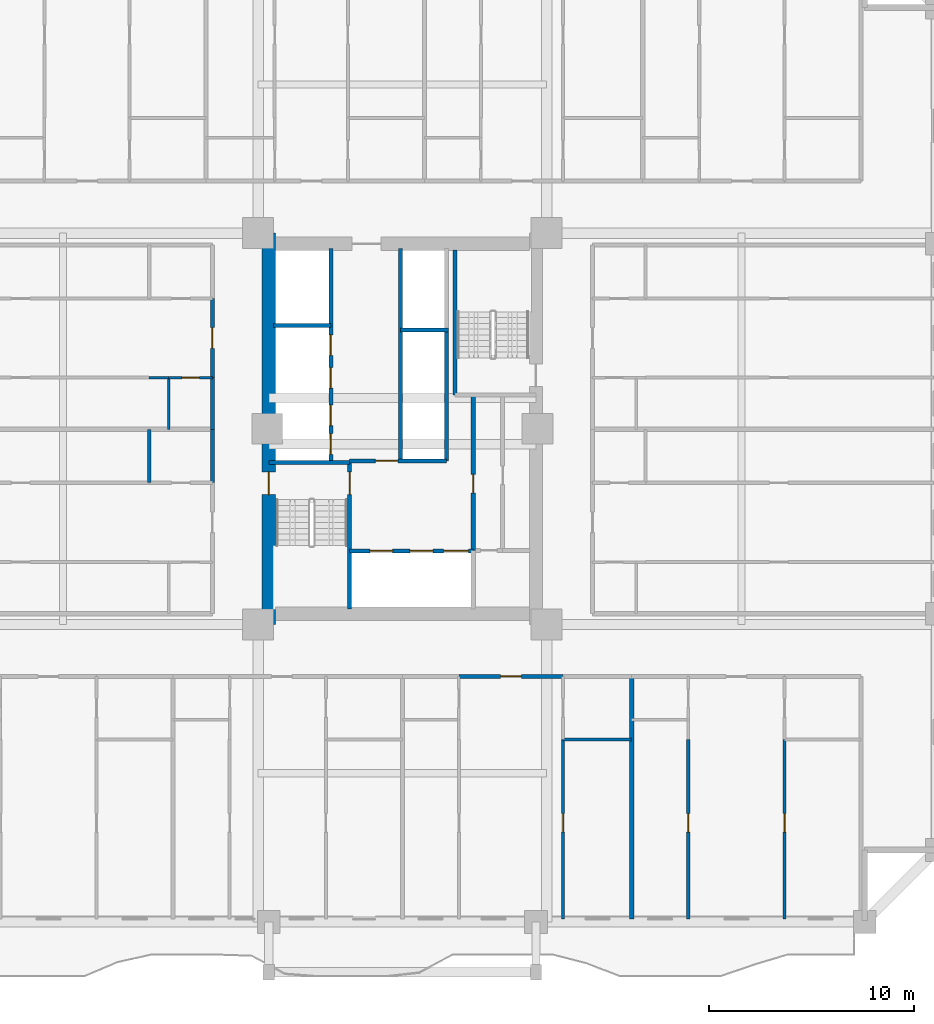
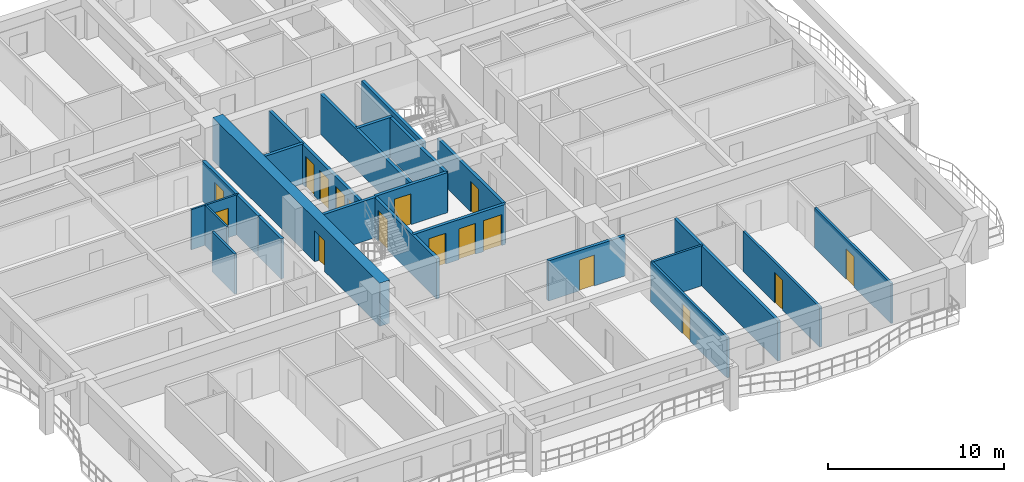
# One storey, part 4 of 16: 25 walls, 17 doors, 17 openings.
"""IFC4 building model written with IfcOpenShell, lengths in metres."""

from ifc_helpers import new_model, si_unit, direction, frame, frame_2d, origin, place, context, subcontext, project, spatial, rectangle, extrude, source, transform, mapped, material, layer, layer_set, type_object, element, fill, save


model = new_model("IFC4")

# Units and contexts
model_context = context("Model", 3, precision=1e-05, world=origin(), true_north=direction((0.0, 1.0)))
body_context = subcontext(model_context, "Body", "Model", "MODEL_VIEW")
ifc_project = project(units=[si_unit("LENGTHUNIT", "METRE"), si_unit("AREAUNIT", "SQUARE_METRE"), si_unit("VOLUMEUNIT", "CUBIC_METRE"), si_unit("PLANEANGLEUNIT", "RADIAN"), si_unit("MASSUNIT", "GRAM", prefix="KILO")], contexts=[model_context])

# Site, building, storey
site_placement = place(None, origin())
site = spatial("IfcSite", under=ifc_project, at=site_placement, CompositionType="ELEMENT")
building_placement = place(site_placement, origin())
building = spatial("IfcBuilding", under=site, at=building_placement, Name="Saelheon Loggia Tower", CompositionType="ELEMENT")
storey_placement = place(building_placement, frame((0.0, 0.0, 64.39990234375)))
storey = spatial("IfcBuildingStorey", under=building, at=storey_placement, Name="L20", CompositionType="ELEMENT", Elevation=64.39990234375)

# Wall, opening, door
ifc_material_1 = material(Name="Concrete C60/75", Category="concrete")
ifc_layer_1 = layer(ifc_material_1, 0.64990234375)
ifc_layer_set_1 = layer_set([ifc_layer_1], Name="Concrete C60/75")
wall_type_1 = type_object("IfcWallType", Name="Wall_CoreShear_650", PredefinedType="SHEAR", material=ifc_layer_set_1)
wall_1_placement = place(storey_placement, frame((31.5, 17.47998046875, 0.0), z_axis=(0.0, 0.0, 1.0), x_axis=(0.0, 1.0, 0.0)))
wall_1 = element("IfcWall", 1, at=wall_1_placement, inside=storey, type_object=wall_type_1, Name="L20 Core Shear Wall West", PredefinedType="SHEAR", context=body_context, shape_type="SweptSolid", body=[
    extrude(rectangle(XDim=19.0400390625, YDim=0.64990234375, at=frame_2d((9.52001953125, 0.0))), origin(), (0.0, 0.0, 1.0), 3.0),
])
opening_1_placement = place(wall_1_placement, frame((6.320068359375, 0.0, 0.0)))
opening_1 = element("IfcOpeningElement", 2, at=opening_1_placement, cuts=wall_1, Name="Opening D-FD2", PredefinedType="OPENING", context=body_context, shape_type="SweptSolid", body=[
    extrude(rectangle(XDim=1.10009765625, YDim=2.14990234375, at=frame_2d((0.550048828125, 1.074951171875))), frame((0.0, 0.3369140625, 0.0), z_axis=(0.0, -1.0, 0.0), x_axis=(1.0, 0.0, 0.0)), (0.0, 0.0, 1.0), 0.673828125),
])
ifc_material_2 = material(Name="Galvanised Steel Fire Door", Category="steel")
door_type_1 = type_object("IfcDoorType", Name="Door_Fire_FD60_1100", OperationType="NOTDEFINED", PredefinedType="DOOR", material=ifc_material_2)
shared_shape_1 = source(origin(), body_context, "Body", "SweptSolid", [
    extrude(rectangle(XDim=1.10009765625, YDim=2.14990234375, at=frame_2d((0.550048828125, 1.074951171875))), frame((0.0, 0.02490234375, 0.0), z_axis=(0.0, -1.0, 0.0), x_axis=(1.0, 0.0, 0.0)), (0.0, 0.0, 1.0), 0.050048828125),
])
door_1_placement = place(opening_1_placement, origin())
door_1 = element("IfcDoor", 3, at=door_1_placement, inside=storey, type_object=door_type_1, Name="L20 Stair ST1 Corridor Door", OperationType="SINGLE_SWING_LEFT", OverallHeight=2.14990234375, OverallWidth=1.10009765625, PredefinedType="DOOR", context=body_context, shape_type="MappedRepresentation", body=[
    mapped(shared_shape_1, transform((0.0, 0.0, 0.0), scale=1.0)),
])
fill(opening_1, door_1)

# Wall
ifc_material_3 = material(Name="Lightweight Autoclaved Aerated Concrete Block and Acoustic Gypsum", Category="concrete")
ifc_layer_2 = layer(ifc_material_3, 0.14990234375)
ifc_layer_set_2 = layer_set([ifc_layer_2], Name="Lightweight Autoclaved Aerated Concrete Block and Acoustic Gypsum")
wall_type_2 = type_object("IfcWallType", Name="Wall_Part_150", PredefinedType="PARTITIONING", material=ifc_layer_set_2)
wall_2_placement = place(storey_placement, frame((45.820068359375, 11.8798828125, 0.0), z_axis=(0.0, 0.0, 1.0), x_axis=(1.0, 0.0, 0.0)))
element("IfcWall", 4, at=wall_2_placement, inside=storey, type_object=wall_type_2, Name="L20 S Partition V29", PredefinedType="PARTITIONING", context=body_context, shape_type="SweptSolid", body=[
    extrude(rectangle(XDim=3.33984375, YDim=0.14990234375, at=frame_2d((1.669921875, 0.0))), origin(), (0.0, 0.0, 1.0), 2.7900390625),
])

# Wall, opening, door
wall_3_placement = place(storey_placement, frame((45.820068359375, 11.8798828125, 0.0), z_axis=(0.0, 0.0, 1.0), x_axis=(0.0, -1.0, 0.0)))
wall_3 = element("IfcWall", 5, at=wall_3_placement, inside=storey, type_object=wall_type_2, Name="L20 S Partition U34", PredefinedType="PARTITIONING", context=body_context, shape_type="SweptSolid", body=[
    extrude(rectangle(XDim=8.72998046875, YDim=0.14990234375, at=frame_2d((4.364990234375, 0.0))), origin(), (0.0, 0.0, 1.0), 2.7900390625),
])
opening_2_placement = place(wall_3_placement, frame((3.608642578125, 0.0, 0.0)))
opening_2 = element("IfcOpeningElement", 6, at=opening_2_placement, cuts=wall_3, Name="Opening D-IN2", PredefinedType="OPENING", context=body_context, shape_type="SweptSolid", body=[
    extrude(rectangle(XDim=0.89990234375, YDim=2.10009765625, at=frame_2d((0.449951171875, 1.050048828125))), frame((0.0, 0.0869140625, 0.0), z_axis=(0.0, -1.0, 0.0), x_axis=(1.0, 0.0, 0.0)), (0.0, 0.0, 1.0), 0.173828125),
])
ifc_material_4 = material(Name="Engineered Oak Flush Door", Category="timber")
door_type_2 = type_object("IfcDoorType", Name="Door_Int_900", OperationType="NOTDEFINED", PredefinedType="DOOR", material=ifc_material_4)
shared_shape_2 = source(origin(), body_context, "Body", "SweptSolid", [
    extrude(rectangle(XDim=0.89990234375, YDim=2.10009765625, at=frame_2d((0.449951171875, 1.050048828125))), frame((0.0, 0.02490234375, 0.0), z_axis=(0.0, -1.0, 0.0), x_axis=(1.0, 0.0, 0.0)), (0.0, 0.0, 1.0), 0.050048828125),
])
door_2_placement = place(opening_2_placement, origin())
door_2 = element("IfcDoor", 7, at=door_2_placement, inside=storey, type_object=door_type_2, Name="Unit U03 Bedroom 1 Door", OperationType="SINGLE_SWING_RIGHT", OverallHeight=2.10009765625, OverallWidth=0.89990234375, PredefinedType="DOOR", context=body_context, shape_type="MappedRepresentation", body=[
    mapped(shared_shape_2, transform((0.0, 0.0, 0.0), scale=1.0)),
])
fill(opening_2, door_2)

wall_4_placement = place(storey_placement, frame((51.909912109375, 11.8798828125, 0.0), z_axis=(0.0, 0.0, 1.0), x_axis=(0.0, -1.0, 0.0)))
wall_4 = element("IfcWall", 8, at=wall_4_placement, inside=storey, type_object=wall_type_2, Name="L20 S Partition U43", PredefinedType="PARTITIONING", context=body_context, shape_type="SweptSolid", body=[
    extrude(rectangle(XDim=8.72998046875, YDim=0.14990234375, at=frame_2d((4.364990234375, 0.0))), origin(), (0.0, 0.0, 1.0), 2.7900390625),
])
opening_3_placement = place(wall_4_placement, frame((3.608642578125, 0.0, 0.0)))
opening_3 = element("IfcOpeningElement", 9, at=opening_3_placement, cuts=wall_4, Name="Opening D-IN2", PredefinedType="OPENING", context=body_context, shape_type="SweptSolid", body=[
    extrude(rectangle(XDim=0.89990234375, YDim=2.10009765625, at=frame_2d((0.449951171875, 1.050048828125))), frame((0.0, 0.0869140625, 0.0), z_axis=(0.0, -1.0, 0.0), x_axis=(1.0, 0.0, 0.0)), (0.0, 0.0, 1.0), 0.173828125),
])
door_3_placement = place(opening_3_placement, origin())
door_3 = element("IfcDoor", 10, at=door_3_placement, inside=storey, type_object=door_type_2, Name="Unit U04 Kitchen Door", OperationType="SINGLE_SWING_LEFT", OverallHeight=2.10009765625, OverallWidth=0.89990234375, PredefinedType="DOOR", context=body_context, shape_type="MappedRepresentation", body=[
    mapped(shared_shape_2, transform((0.0, 0.0, 0.0), scale=1.0)),
])
fill(opening_3, door_3)

wall_5_placement = place(storey_placement, frame((56.59716796875, 11.8798828125, 0.0), z_axis=(0.0, 0.0, 1.0), x_axis=(0.0, -1.0, 0.0)))
wall_5 = element("IfcWall", 11, at=wall_5_placement, inside=storey, type_object=wall_type_2, Name="L20 S Partition U45", PredefinedType="PARTITIONING", context=body_context, shape_type="SweptSolid", body=[
    extrude(rectangle(XDim=8.72998046875, YDim=0.14990234375, at=frame_2d((4.364990234375, 0.0))), origin(), (0.0, 0.0, 1.0), 2.7900390625),
])
opening_4_placement = place(wall_5_placement, frame((3.608642578125, 0.0, 0.0)))
opening_4 = element("IfcOpeningElement", 12, at=opening_4_placement, cuts=wall_5, Name="Opening D-IN2", PredefinedType="OPENING", context=body_context, shape_type="SweptSolid", body=[
    extrude(rectangle(XDim=0.89990234375, YDim=2.10009765625, at=frame_2d((0.449951171875, 1.050048828125))), frame((0.0, 0.0869140625, 0.0), z_axis=(0.0, -1.0, 0.0), x_axis=(1.0, 0.0, 0.0)), (0.0, 0.0, 1.0), 0.173828125),
])
door_4_placement = place(opening_4_placement, origin())
door_4 = element("IfcDoor", 13, at=door_4_placement, inside=storey, type_object=door_type_2, Name="Unit U04 Bedroom 1 Door", OperationType="SINGLE_SWING_LEFT", OverallHeight=2.10009765625, OverallWidth=0.89990234375, PredefinedType="DOOR", context=body_context, shape_type="MappedRepresentation", body=[
    mapped(shared_shape_2, transform((0.0, 0.0, 0.0), scale=1.0)),
])
fill(opening_4, door_4)

# Wall
wall_6_placement = place(storey_placement, frame((25.679931640625, 24.375, 0.0), z_axis=(0.0, 0.0, 1.0), x_axis=(0.0, 1.0, 0.0)))
element("IfcWall", 14, at=wall_6_placement, inside=storey, type_object=wall_type_2, Name="L20 W Partition V07", PredefinedType="PARTITIONING", context=body_context, shape_type="SweptSolid", body=[
    extrude(rectangle(XDim=2.60009765625, YDim=0.14990234375, at=frame_2d((1.300048828125, 0.0))), origin(), (0.0, 0.0, 1.0), 2.7900390625),
])

# Wall, opening, door
ifc_material_5 = material(Name="Double Acoustic Stud and Fireboard Partition", Category="gypsum")
ifc_layer_3 = layer(ifc_material_5, 0.199951171875)
ifc_layer_set_3 = layer_set([ifc_layer_3], Name="Double Acoustic Stud and Fireboard Partition")
wall_type_3 = type_object("IfcWallType", Name="Wall_Party_200", PredefinedType="PARTITIONING", material=ifc_layer_set_3)
wall_7_placement = place(storey_placement, frame((40.75, 14.949951171875, 0.0), z_axis=(0.0, 0.0, 1.0), x_axis=(1.0, 0.0, 0.0)))
wall_7 = element("IfcWall", 15, at=wall_7_placement, inside=storey, type_object=wall_type_3, Name="L20 S Partition V26", PredefinedType="PARTITIONING", context=body_context, shape_type="SweptSolid", body=[
    extrude(rectangle(XDim=5.070068359375, YDim=0.199951171875, at=frame_2d((2.53515625, 0.0))), origin(), (0.0, 0.0, 1.0), 2.7900390625),
])
opening_5_placement = place(wall_7_placement, frame((2.034912109375, 0.0, 0.0)))
opening_5 = element("IfcOpeningElement", 16, at=opening_5_placement, cuts=wall_7, Name="Opening D-FD1", PredefinedType="OPENING", context=body_context, shape_type="SweptSolid", body=[
    extrude(rectangle(XDim=1.0, YDim=2.14990234375, at=frame_2d((0.5, 1.074951171875))), frame((0.0, 0.112060546875, 0.0), z_axis=(0.0, -1.0, 0.0), x_axis=(1.0, 0.0, 0.0)), (0.0, 0.0, 1.0), 0.223876953125),
])
ifc_material_6 = material(Name="Fire-Rated Engineered Timber Entrance Door", Category="wood")
door_type_3 = type_object("IfcDoorType", Name="Door_Flat_FD30S", OperationType="NOTDEFINED", PredefinedType="DOOR", material=ifc_material_6)
shared_shape_3 = source(origin(), body_context, "Body", "SweptSolid", [
    extrude(rectangle(XDim=1.0, YDim=2.14990234375, at=frame_2d((0.5, 1.074951171875))), frame((0.0, 0.02490234375, 0.0), z_axis=(0.0, -1.0, 0.0), x_axis=(1.0, 0.0, 0.0)), (0.0, 0.0, 1.0), 0.050048828125),
])
door_5_placement = place(opening_5_placement, origin())
door_5 = element("IfcDoor", 17, at=door_5_placement, inside=storey, type_object=door_type_3, Name="Unit U03 Entrance Door", OperationType="SINGLE_SWING_RIGHT", OverallHeight=2.14990234375, OverallWidth=1.0, PredefinedType="DOOR", context=body_context, shape_type="MappedRepresentation", body=[
    mapped(shared_shape_3, transform((0.0, 0.0, 0.0), scale=1.0)),
])
fill(opening_5, door_5)

# Walls
wall_8_placement = place(storey_placement, frame((49.159912109375, 14.949951171875, 0.0), z_axis=(0.0, 0.0, 1.0), x_axis=(0.0, -1.0, 0.0)))
element("IfcWall", 18, at=wall_8_placement, inside=storey, type_object=wall_type_3, Name="L20 S Partition U35", PredefinedType="PARTITIONING", context=body_context, shape_type="SweptSolid", body=[
    extrude(rectangle(XDim=11.800048828125, YDim=0.199951171875, at=frame_2d((5.89990234375, 0.0))), origin(), (0.0, 0.0, 1.0), 2.7900390625),
])
wall_9_placement = place(storey_placement, frame((28.75, 24.375, 0.0), z_axis=(0.0, 0.0, 1.0), x_axis=(0.0, 1.0, 0.0)))
element("IfcWall", 19, at=wall_9_placement, inside=storey, type_object=wall_type_3, Name="L20 W Partition V05", PredefinedType="PARTITIONING", context=body_context, shape_type="SweptSolid", body=[
    extrude(rectangle(XDim=2.60009765625, YDim=0.199951171875, at=frame_2d((1.300048828125, 0.0))), origin(), (0.0, 0.0, 1.0), 2.7900390625),
])
wall_10_placement = place(storey_placement, frame((28.75, 26.97509765625, 0.0), z_axis=(0.0, 0.0, 1.0), x_axis=(0.0, 1.0, 0.0)))
element("IfcWall", 20, at=wall_10_placement, inside=storey, type_object=wall_type_3, Name="L20 W Partition V14", PredefinedType="PARTITIONING", context=body_context, shape_type="SweptSolid", body=[
    extrude(rectangle(XDim=2.512939453125, YDim=0.199951171875, at=frame_2d((1.25634765625, 0.0))), origin(), (0.0, 0.0, 1.0), 2.7900390625),
])

# Wall, opening, door
wall_11_placement = place(storey_placement, frame((28.75, 29.488037109375, 0.0), z_axis=(0.0, 0.0, 1.0), x_axis=(0.0, 1.0, 0.0)))
wall_11 = element("IfcWall", 21, at=wall_11_placement, inside=storey, type_object=wall_type_3, Name="L20 W Partition V15", PredefinedType="PARTITIONING", context=body_context, shape_type="SweptSolid", body=[
    extrude(rectangle(XDim=3.862060546875, YDim=0.199951171875, at=frame_2d((1.93115234375, 0.0))), origin(), (0.0, 0.0, 1.0), 2.7900390625),
])
opening_6_placement = place(wall_11_placement, frame((1.430908203125, 0.0, 0.0)))
opening_6 = element("IfcOpeningElement", 22, at=opening_6_placement, cuts=wall_11, Name="Opening D-FD1", PredefinedType="OPENING", context=body_context, shape_type="SweptSolid", body=[
    extrude(rectangle(XDim=1.0, YDim=2.14990234375, at=frame_2d((0.5, 1.074951171875))), frame((0.0, 0.112060546875, 0.0), z_axis=(0.0, -1.0, 0.0), x_axis=(1.0, 0.0, 0.0)), (0.0, 0.0, 1.0), 0.223876953125),
])
door_6_placement = place(opening_6_placement, origin())
door_6 = element("IfcDoor", 23, at=door_6_placement, inside=storey, type_object=door_type_3, Name="Unit U10 Entrance Door", OperationType="SINGLE_SWING_RIGHT", OverallHeight=2.14990234375, OverallWidth=1.0, PredefinedType="DOOR", context=body_context, shape_type="MappedRepresentation", body=[
    mapped(shared_shape_3, transform((0.0, 0.0, 0.0), scale=1.0)),
])
fill(opening_6, door_6)

ifc_material_7 = material(Name="Concrete C40/50", Category="concrete")
ifc_layer_4 = layer(ifc_material_7, 0.199951171875)
ifc_layer_set_4 = layer_set([ifc_layer_4], Name="Concrete C40/50")
wall_type_4 = type_object("IfcWallType", Name="Wall_Shaft_200", PredefinedType="PARTITIONING", material=ifc_layer_set_4)
wall_12_placement = place(storey_placement, frame((41.449951171875, 21.080078125, 0.0), z_axis=(0.0, 0.0, 1.0), x_axis=(0.0, 1.0, 0.0)))
wall_12 = element("IfcWall", 24, at=wall_12_placement, inside=storey, type_object=wall_type_4, Name="CW-INT-L20-BOH-W1", PredefinedType="PARTITIONING", context=body_context, shape_type="SweptSolid", body=[
    extrude(rectangle(XDim=7.52001953125, YDim=0.199951171875, at=frame_2d((3.760009765625, 0.0))), origin(), (0.0, 0.0, 1.0), 2.7900390625),
])
opening_7_placement = place(wall_12_placement, frame((2.800048828125, 0.0, 0.0)))
opening_7 = element("IfcOpeningElement", 25, at=opening_7_placement, cuts=wall_12, Name="Opening D-RS1", PredefinedType="OPENING", context=body_context, shape_type="SweptSolid", body=[
    extrude(rectangle(XDim=0.89990234375, YDim=2.10009765625, at=frame_2d((0.449951171875, 1.050048828125))), frame((0.0, 0.112060546875, 0.0), z_axis=(0.0, -1.0, 0.0), x_axis=(1.0, 0.0, 0.0)), (0.0, 0.0, 1.0), 0.223876953125),
])
ifc_material_8 = material(Name="Galvanised Steel Riser Access Door", Category="steel")
door_type_4 = type_object("IfcDoorType", Name="Door_Riser_FD60", OperationType="NOTDEFINED", PredefinedType="DOOR", material=ifc_material_8)
door_7_placement = place(opening_7_placement, origin())
door_7 = element("IfcDoor", 26, at=door_7_placement, inside=storey, type_object=door_type_4, Name="L20 Service Store Door", OperationType="SINGLE_SWING_LEFT", OverallHeight=2.10009765625, OverallWidth=0.89990234375, PredefinedType="DOOR", context=body_context, shape_type="MappedRepresentation", body=[
    mapped(shared_shape_2, transform((0.0, 0.0, 0.0), scale=1.0)),
])
fill(opening_7, door_7)

# Wall
wall_13_placement = place(storey_placement, frame((40.14990234375, 25.43994140625, 0.0), z_axis=(0.0, 0.0, 1.0), x_axis=(0.0, 1.0, 0.0)))
element("IfcWall", 27, at=wall_13_placement, inside=storey, type_object=wall_type_4, Name="L20 Core Service Passage West Wall", PredefinedType="PARTITIONING", context=body_context, shape_type="SweptSolid", body=[
    extrude(rectangle(XDim=6.360107421875, YDim=0.199951171875, at=frame_2d((3.18017578125, 0.0))), origin(), (0.0, 0.0, 1.0), 2.7900390625),
])

# Wall, openings, doors
wall_14_placement = place(storey_placement, frame((35.429931640625, 21.06005859375, 0.0), z_axis=(0.0, 0.0, 1.0), x_axis=(1.0, 0.0, 0.0)))
wall_14 = element("IfcWall", 28, at=wall_14_placement, inside=storey, type_object=wall_type_4, Name="L20 Firefighting Lift Shaft Front Wall", PredefinedType="PARTITIONING", context=body_context, shape_type="SweptSolid", body=[
    extrude(rectangle(XDim=6.02001953125, YDim=0.199951171875, at=frame_2d((3.010009765625, 0.0))), origin(), (0.0, 0.0, 1.0), 2.7900390625),
])
opening_8_placement = place(wall_14_placement, frame((1.0, 0.0, 0.0)))
opening_8 = element("IfcOpeningElement", 29, at=opening_8_placement, cuts=wall_14, Name="Opening LD2", PredefinedType="OPENING", context=body_context, shape_type="SweptSolid", body=[
    extrude(rectangle(XDim=1.10009765625, YDim=2.14990234375, at=frame_2d((0.550048828125, 1.074951171875))), frame((0.0, 0.112060546875, 0.0), z_axis=(0.0, -1.0, 0.0), x_axis=(1.0, 0.0, 0.0)), (0.0, 0.0, 1.0), 0.223876953125),
])
opening_9_placement = place(wall_14_placement, frame((2.949951171875, 0.0, 0.0)))
opening_9 = element("IfcOpeningElement", 30, at=opening_9_placement, cuts=wall_14, Name="Opening LD2", PredefinedType="OPENING", context=body_context, shape_type="SweptSolid", body=[
    extrude(rectangle(XDim=1.10009765625, YDim=2.14990234375, at=frame_2d((0.550048828125, 1.074951171875))), frame((0.0, 0.112060546875, 0.0), z_axis=(0.0, -1.0, 0.0), x_axis=(1.0, 0.0, 0.0)), (0.0, 0.0, 1.0), 0.223876953125),
])
opening_10_placement = place(wall_14_placement, frame((4.580078125, 0.0, 0.0)))
opening_10 = element("IfcOpeningElement", 31, at=opening_10_placement, cuts=wall_14, Name="Opening LD3", PredefinedType="OPENING", context=body_context, shape_type="SweptSolid", body=[
    extrude(rectangle(XDim=1.199951171875, YDim=2.14990234375, at=frame_2d((0.60009765625, 1.074951171875))), frame((0.0, 0.112060546875, 0.0), z_axis=(0.0, -1.0, 0.0), x_axis=(1.0, 0.0, 0.0)), (0.0, 0.0, 1.0), 0.223876953125),
])
ifc_material_9 = material(Name="Firefighting Stainless Steel 316 Landing Door", Category="steel")
door_type_5 = type_object("IfcDoorType", Name="Door_Lift_LD2", OperationType="DOUBLE_DOOR_SLIDING", PredefinedType="DOOR", material=ifc_material_9)
door_8_placement = place(opening_8_placement, origin())
door_8 = element("IfcDoor", 32, at=door_8_placement, inside=storey, type_object=door_type_5, Name="L20 FF1 Landing Door", OperationType="DOUBLE_DOOR_SLIDING", OverallHeight=2.14990234375, OverallWidth=1.10009765625, PredefinedType="DOOR", context=body_context, shape_type="MappedRepresentation", body=[
    mapped(shared_shape_1, transform((0.0, 0.0, 0.0), scale=1.0)),
])
fill(opening_8, door_8)
door_9_placement = place(opening_9_placement, origin())
door_9 = element("IfcDoor", 33, at=door_9_placement, inside=storey, type_object=door_type_5, Name="L20 FF2 Landing Door", OperationType="DOUBLE_DOOR_SLIDING", OverallHeight=2.14990234375, OverallWidth=1.10009765625, PredefinedType="DOOR", context=body_context, shape_type="MappedRepresentation", body=[
    mapped(shared_shape_1, transform((0.0, 0.0, 0.0), scale=1.0)),
])
fill(opening_9, door_9)
ifc_material_10 = material(Name="Stretcher Lift Stainless Steel 304 Landing Door", Category="steel")
door_type_6 = type_object("IfcDoorType", Name="Door_Lift_LD3", OperationType="DOUBLE_DOOR_SLIDING", PredefinedType="DOOR", material=ifc_material_10)
shared_shape_4 = source(origin(), body_context, "Body", "SweptSolid", [
    extrude(rectangle(XDim=1.199951171875, YDim=2.14990234375, at=frame_2d((0.60009765625, 1.074951171875))), frame((0.0, 0.02490234375, 0.0), z_axis=(0.0, -1.0, 0.0), x_axis=(1.0, 0.0, 0.0)), (0.0, 0.0, 1.0), 0.050048828125),
])
door_10_placement = place(opening_10_placement, origin())
door_10 = element("IfcDoor", 34, at=door_10_placement, inside=storey, type_object=door_type_6, Name="L20 SV1 Landing Door", OperationType="DOUBLE_DOOR_SLIDING", OverallHeight=2.14990234375, OverallWidth=1.199951171875, PredefinedType="DOOR", context=body_context, shape_type="MappedRepresentation", body=[
    mapped(shared_shape_4, transform((0.0, 0.0, 0.0), scale=1.0)),
])
fill(opening_10, door_10)

# Wall, opening, door
wall_15_placement = place(storey_placement, frame((35.429931640625, 25.43994140625, 0.0), z_axis=(0.0, 0.0, 1.0), x_axis=(1.0, 0.0, 0.0)))
wall_15 = element("IfcWall", 35, at=wall_15_placement, inside=storey, type_object=wall_type_4, Name="L20 Firefighting Lobby Compartment Wall", PredefinedType="PARTITIONING", context=body_context, shape_type="SweptSolid", body=[
    extrude(rectangle(XDim=4.719970703125, YDim=0.199951171875, at=frame_2d((2.35986328125, 0.0))), origin(), (0.0, 0.0, 1.0), 2.7900390625),
])
opening_11_placement = place(wall_15_placement, frame((1.25, 0.0, 0.0)))
opening_11 = element("IfcOpeningElement", 36, at=opening_11_placement, cuts=wall_15, Name="Opening D-FD2", PredefinedType="OPENING", context=body_context, shape_type="SweptSolid", body=[
    extrude(rectangle(XDim=1.10009765625, YDim=2.14990234375, at=frame_2d((0.550048828125, 1.074951171875))), frame((0.0, 0.112060546875, 0.0), z_axis=(0.0, -1.0, 0.0), x_axis=(1.0, 0.0, 0.0)), (0.0, 0.0, 1.0), 0.223876953125),
])
door_11_placement = place(opening_11_placement, origin())
door_11 = element("IfcDoor", 37, at=door_11_placement, inside=storey, type_object=door_type_1, Name="L20 Firefighting Lobby Door", OperationType="SINGLE_SWING_RIGHT", OverallHeight=2.14990234375, OverallWidth=1.10009765625, PredefinedType="DOOR", context=body_context, shape_type="MappedRepresentation", body=[
    mapped(shared_shape_1, transform((0.0, 0.0, 0.0), scale=1.0)),
])
fill(opening_11, door_11)

# Wall, openings, doors
wall_16_placement = place(storey_placement, frame((34.52001953125, 25.43994140625, 0.0), z_axis=(0.0, 0.0, 1.0), x_axis=(0.0, 1.0, 0.0)))
wall_16 = element("IfcWall", 38, at=wall_16_placement, inside=storey, type_object=wall_type_4, Name="L20 West Passenger Lift Bank Wall", PredefinedType="PARTITIONING", context=body_context, shape_type="SweptSolid", body=[
    extrude(rectangle(XDim=10.340087890625, YDim=0.199951171875, at=frame_2d((5.169921875, 0.0))), origin(), (0.0, 0.0, 1.0), 2.7900390625),
])
opening_12_placement = place(wall_16_placement, frame((0.320068359375, 0.0, 0.0)))
opening_12 = element("IfcOpeningElement", 39, at=opening_12_placement, cuts=wall_16, Name="Opening LD1", PredefinedType="OPENING", context=body_context, shape_type="SweptSolid", body=[
    extrude(rectangle(XDim=1.0, YDim=2.14990234375, at=frame_2d((0.5, 1.074951171875))), frame((0.0, 0.112060546875, 0.0), z_axis=(0.0, -1.0, 0.0), x_axis=(1.0, 0.0, 0.0)), (0.0, 0.0, 1.0), 0.223876953125),
])
opening_13_placement = place(wall_16_placement, frame((1.7099609375, 0.0, 0.0)))
opening_13 = element("IfcOpeningElement", 40, at=opening_13_placement, cuts=wall_16, Name="Opening LD1", PredefinedType="OPENING", context=body_context, shape_type="SweptSolid", body=[
    extrude(rectangle(XDim=1.0, YDim=2.14990234375, at=frame_2d((0.5, 1.074951171875))), frame((0.0, 0.112060546875, 0.0), z_axis=(0.0, -1.0, 0.0), x_axis=(1.0, 0.0, 0.0)), (0.0, 0.0, 1.0), 0.223876953125),
])
opening_14_placement = place(wall_16_placement, frame((3.534912109375, 0.0, 0.0)))
opening_14 = element("IfcOpeningElement", 41, at=opening_14_placement, cuts=wall_16, Name="Opening LD1", PredefinedType="OPENING", context=body_context, shape_type="SweptSolid", body=[
    extrude(rectangle(XDim=1.0, YDim=2.14990234375, at=frame_2d((0.5, 1.074951171875))), frame((0.0, 0.112060546875, 0.0), z_axis=(0.0, -1.0, 0.0), x_axis=(1.0, 0.0, 0.0)), (0.0, 0.0, 1.0), 0.223876953125),
])
opening_15_placement = place(wall_16_placement, frame((5.135009765625, 0.0, 0.0)))
opening_15 = element("IfcOpeningElement", 42, at=opening_15_placement, cuts=wall_16, Name="Opening LD1", PredefinedType="OPENING", context=body_context, shape_type="SweptSolid", body=[
    extrude(rectangle(XDim=1.0, YDim=2.14990234375, at=frame_2d((0.5, 1.074951171875))), frame((0.0, 0.112060546875, 0.0), z_axis=(0.0, -1.0, 0.0), x_axis=(1.0, 0.0, 0.0)), (0.0, 0.0, 1.0), 0.223876953125),
])
ifc_material_11 = material(Name="Brushed Stainless Steel 304 Landing Door", Category="steel")
door_type_7 = type_object("IfcDoorType", Name="Door_Lift_LD1", OperationType="DOUBLE_DOOR_SLIDING", PredefinedType="DOOR", material=ifc_material_11)
door_12_placement = place(opening_12_placement, origin())
door_12 = element("IfcDoor", 43, at=door_12_placement, inside=storey, type_object=door_type_7, Name="L20 PL1 Landing Door", OperationType="DOUBLE_DOOR_SLIDING", OverallHeight=2.14990234375, OverallWidth=1.0, PredefinedType="DOOR", context=body_context, shape_type="MappedRepresentation", body=[
    mapped(shared_shape_3, transform((0.0, 0.0, 0.0), scale=1.0)),
])
fill(opening_12, door_12)
door_13_placement = place(opening_13_placement, origin())
door_13 = element("IfcDoor", 44, at=door_13_placement, inside=storey, type_object=door_type_7, Name="L20 PL2 Landing Door", OperationType="DOUBLE_DOOR_SLIDING", OverallHeight=2.14990234375, OverallWidth=1.0, PredefinedType="DOOR", context=body_context, shape_type="MappedRepresentation", body=[
    mapped(shared_shape_3, transform((0.0, 0.0, 0.0), scale=1.0)),
])
fill(opening_13, door_13)
door_14_placement = place(opening_14_placement, origin())
door_14 = element("IfcDoor", 45, at=door_14_placement, inside=storey, type_object=door_type_7, Name="L20 PL3 Landing Door", OperationType="DOUBLE_DOOR_SLIDING", OverallHeight=2.14990234375, OverallWidth=1.0, PredefinedType="DOOR", context=body_context, shape_type="MappedRepresentation", body=[
    mapped(shared_shape_3, transform((0.0, 0.0, 0.0), scale=1.0)),
])
fill(opening_14, door_14)
door_15_placement = place(opening_15_placement, origin())
door_15 = element("IfcDoor", 46, at=door_15_placement, inside=storey, type_object=door_type_7, Name="L20 PL4 Landing Door", OperationType="DOUBLE_DOOR_SLIDING", OverallHeight=2.14990234375, OverallWidth=1.0, PredefinedType="DOOR", context=body_context, shape_type="MappedRepresentation", body=[
    mapped(shared_shape_3, transform((0.0, 0.0, 0.0), scale=1.0)),
])
fill(opening_15, door_15)

# Walls
wall_17_placement = place(storey_placement, frame((31.719970703125, 32.02001953125, 0.0), z_axis=(0.0, 0.0, 1.0), x_axis=(1.0, 0.0, 0.0)))
element("IfcWall", 47, at=wall_17_placement, inside=storey, type_object=wall_type_4, Name="L20 West High-Rise Shaft Divider", PredefinedType="PARTITIONING", context=body_context, shape_type="SweptSolid", body=[
    extrude(rectangle(XDim=2.800048828125, YDim=0.199951171875, at=frame_2d((1.39990234375, 0.0))), origin(), (0.0, 0.0, 1.0), 2.7900390625),
])
wall_18_placement = place(storey_placement, frame((37.89990234375, 25.43994140625, 0.0), z_axis=(0.0, 0.0, 1.0), x_axis=(0.0, 1.0, 0.0)))
element("IfcWall", 48, at=wall_18_placement, inside=storey, type_object=wall_type_4, Name="L20 East Passenger Lift Bank Wall", PredefinedType="PARTITIONING", context=body_context, shape_type="SweptSolid", body=[
    extrude(rectangle(XDim=10.340087890625, YDim=0.199951171875, at=frame_2d((5.169921875, 0.0))), origin(), (0.0, 0.0, 1.0), 2.7900390625),
])
wall_19_placement = place(storey_placement, frame((37.89990234375, 31.800048828125, 0.0), z_axis=(0.0, 0.0, 1.0), x_axis=(1.0, 0.0, 0.0)))
element("IfcWall", 49, at=wall_19_placement, inside=storey, type_object=wall_type_4, Name="L20 East High-Rise Shaft Divider", PredefinedType="PARTITIONING", context=body_context, shape_type="SweptSolid", body=[
    extrude(rectangle(XDim=2.35009765625, YDim=0.199951171875, at=frame_2d((1.175048828125, 0.0))), origin(), (0.0, 0.0, 1.0), 2.7900390625),
])

# Wall, opening, door
ifc_material_12 = material(Name="Concrete C45/55", Category="concrete")
ifc_layer_5 = layer(ifc_material_12, 0.199951171875)
ifc_layer_set_5 = layer_set([ifc_layer_5], Name="Concrete C45/55")
wall_type_5 = type_object("IfcWallType", Name="Wall_StairShaft_RC200", PredefinedType="SOLIDWALL", material=ifc_layer_set_5)
wall_20_placement = place(storey_placement, frame((35.429931640625, 18.219970703125, 0.0), z_axis=(0.0, 0.0, 1.0), x_axis=(0.0, 1.0, 0.0)))
wall_20 = element("IfcWall", 50, at=wall_20_placement, inside=storey, type_object=wall_type_5, Name="L20 Stair ST1 Shaft Wall", PredefinedType="SOLIDWALL", context=body_context, shape_type="SweptSolid", body=[
    extrude(rectangle(XDim=7.219970703125, YDim=0.199951171875, at=frame_2d((3.60986328125, 0.0))), origin(), (0.0, 0.0, 1.0), 2.7900390625),
])
opening_16_placement = place(wall_20_placement, frame((6.68017578125, 0.0, 0.0), z_axis=(0.0, 0.0, 1.0), x_axis=(-1.0, 0.0, 0.0)))
opening_16 = element("IfcOpeningElement", 51, at=opening_16_placement, cuts=wall_20, Name="Opening D-FD2", PredefinedType="OPENING", context=body_context, shape_type="SweptSolid", body=[
    extrude(rectangle(XDim=1.10009765625, YDim=2.14990234375, at=frame_2d((0.550048828125, 1.074951171875))), frame((0.0, 0.112060546875, 0.0), z_axis=(0.0, -1.0, 0.0), x_axis=(1.0, 0.0, 0.0)), (0.0, 0.0, 1.0), 0.223876953125),
])
door_16_placement = place(opening_16_placement, origin())
door_16 = element("IfcDoor", 52, at=door_16_placement, inside=storey, type_object=door_type_1, Name="L20 Stair ST1 Lobby Door", OperationType="SINGLE_SWING_LEFT", OverallHeight=2.14990234375, OverallWidth=1.10009765625, PredefinedType="DOOR", context=body_context, shape_type="MappedRepresentation", body=[
    mapped(shared_shape_1, transform((0.0, 0.0, 0.0), scale=1.0)),
])
fill(opening_16, door_16)

# Walls
wall_21_placement = place(storey_placement, frame((31.5, 25.35009765625, 0.0), z_axis=(0.0, 0.0, 1.0), x_axis=(1.0, 0.0, 0.0)))
element("IfcWall", 53, at=wall_21_placement, inside=storey, type_object=wall_type_5, Name="L20 Stair ST1 North Wall", PredefinedType="SOLIDWALL", context=body_context, shape_type="SweptSolid", body=[
    extrude(rectangle(XDim=3.929931640625, YDim=0.199951171875, at=frame_2d((1.96484375, 0.0))), origin(), (0.0, 0.0, 1.0), 2.7900390625),
])
wall_22_placement = place(storey_placement, frame((40.570068359375, 28.64990234375, 0.0), z_axis=(0.0, 0.0, 1.0), x_axis=(0.0, 1.0, 0.0)))
element("IfcWall", 54, at=wall_22_placement, inside=storey, type_object=wall_type_5, Name="L20 Stair ST2 Shaft Wall", PredefinedType="SOLIDWALL", context=body_context, shape_type="SweptSolid", body=[
    extrude(rectangle(XDim=7.050048828125, YDim=0.199951171875, at=frame_2d((3.52490234375, 0.0))), origin(), (0.0, 0.0, 1.0), 2.7900390625),
])
ifc_material_13 = material(Name="Moisture-Resistant Cement Board Partition", Category="gypsum")
ifc_layer_6 = layer(ifc_material_13, 0.1201171875)
ifc_layer_set_6 = layer_set([ifc_layer_6], Name="Moisture-Resistant Cement Board Partition")
wall_type_6 = type_object("IfcWallType", Name="Wall_WetPart_120", PredefinedType="PARTITIONING", material=ifc_layer_set_6)
wall_23_placement = place(storey_placement, frame((26.6298828125, 26.97509765625, 0.0), z_axis=(0.0, 0.0, 1.0), x_axis=(0.0, 1.0, 0.0)))
element("IfcWall", 55, at=wall_23_placement, inside=storey, type_object=wall_type_6, Name="L20 W Partition V17", PredefinedType="PARTITIONING", context=body_context, shape_type="SweptSolid", body=[
    extrude(rectangle(XDim=2.512939453125, YDim=0.1201171875, at=frame_2d((1.25634765625, 0.0))), origin(), (0.0, 0.0, 1.0), 2.7900390625),
])

# Wall, opening, door
wall_24_placement = place(storey_placement, frame((28.75, 29.488037109375, 0.0), z_axis=(0.0, 0.0, 1.0), x_axis=(-1.0, 0.0, 0.0)))
wall_24 = element("IfcWall", 56, at=wall_24_placement, inside=storey, type_object=wall_type_6, Name="L20 W Partition U19", PredefinedType="PARTITIONING", context=body_context, shape_type="SweptSolid", body=[
    extrude(rectangle(XDim=2.1201171875, YDim=0.1201171875, at=frame_2d((1.06005859375, 0.0))), origin(), (0.0, 0.0, 1.0), 2.7900390625),
])
opening_17_placement = place(wall_24_placement, frame((0.635009765625, 0.0, 0.0)))
opening_17 = element("IfcOpeningElement", 57, at=opening_17_placement, cuts=wall_24, Name="Opening D-BT1", PredefinedType="OPENING", context=body_context, shape_type="SweptSolid", body=[
    extrude(rectangle(XDim=0.85009765625, YDim=2.050048828125, at=frame_2d((0.425048828125, 1.02490234375))), frame((0.0, 0.072021484375, 0.0), z_axis=(0.0, -1.0, 0.0), x_axis=(1.0, 0.0, 0.0)), (0.0, 0.0, 1.0), 0.14404296875),
])
ifc_material_14 = material(Name="Moisture-Resistant Laminate Timber Door", Category="wood")
door_type_8 = type_object("IfcDoorType", Name="Door_Bath_850", OperationType="NOTDEFINED", PredefinedType="DOOR", material=ifc_material_14)
shared_shape_5 = source(origin(), body_context, "Body", "SweptSolid", [
    extrude(rectangle(XDim=0.85009765625, YDim=2.050048828125, at=frame_2d((0.425048828125, 1.02490234375))), frame((0.0, 0.02490234375, 0.0), z_axis=(0.0, -1.0, 0.0), x_axis=(1.0, 0.0, 0.0)), (0.0, 0.0, 1.0), 0.050048828125),
])
door_17_placement = place(opening_17_placement, origin())
door_17 = element("IfcDoor", 58, at=door_17_placement, inside=storey, type_object=door_type_8, Name="Unit U10 Bathroom Door", OperationType="SINGLE_SWING_LEFT", OverallHeight=2.050048828125, OverallWidth=0.85009765625, PredefinedType="DOOR", context=body_context, shape_type="MappedRepresentation", body=[
    mapped(shared_shape_5, transform((0.0, 0.0, 0.0), scale=1.0)),
])
fill(opening_17, door_17)

# Wall
wall_25_placement = place(storey_placement, frame((26.6298828125, 29.488037109375, 0.0), z_axis=(0.0, 0.0, 1.0), x_axis=(-1.0, 0.0, 0.0)))
element("IfcWall", 59, at=wall_25_placement, inside=storey, type_object=wall_type_6, Name="L20 W Partition U20", PredefinedType="PARTITIONING", context=body_context, shape_type="SweptSolid", body=[
    extrude(rectangle(XDim=0.949951171875, YDim=0.1201171875, at=frame_2d((0.47509765625, 0.0))), origin(), (0.0, 0.0, 1.0), 2.7900390625),
])

save(model, "model.ifc")
